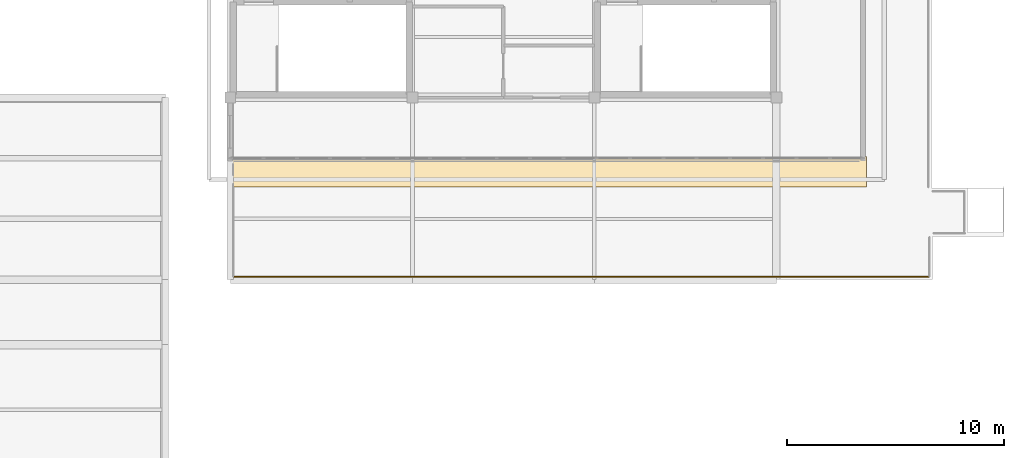
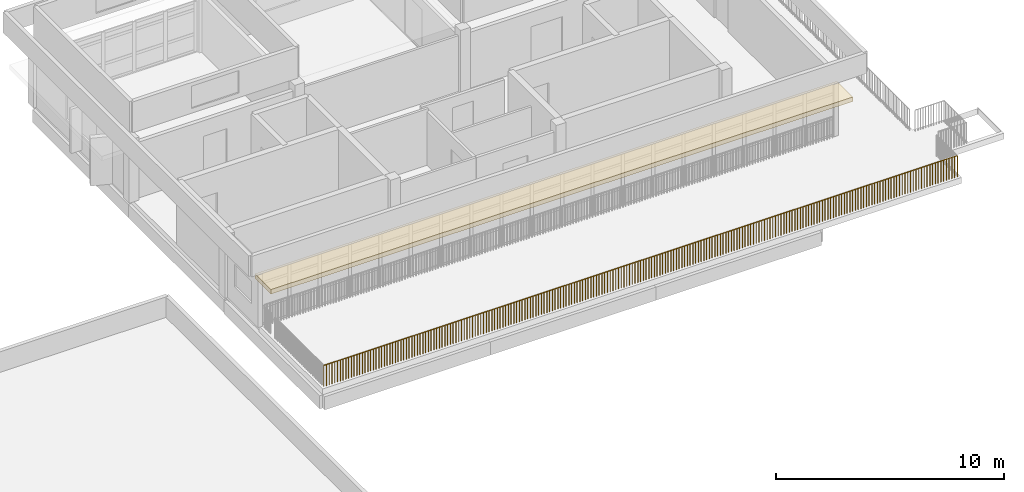
# One storey, part 11 of 14: 1 covering, 1 railing.
"""IFC4 building model written with IfcOpenShell, lengths in metres."""

from ifc_helpers import new_model, si_unit, direction, frame, origin, origin_2d, place, context, subcontext, project, spatial, rectangle, circle, extrude, material, layer, layer_set, type_object, element, save


model = new_model("IFC4")

# Units and contexts
model_context = context("Model", 3, precision=1e-05, world=origin(), true_north=direction((0.0, 1.0)))
body_context = subcontext(model_context, "Body", "Model", "MODEL_VIEW")
ifc_project = project(units=[si_unit("LENGTHUNIT", "METRE"), si_unit("AREAUNIT", "SQUARE_METRE"), si_unit("VOLUMEUNIT", "CUBIC_METRE"), si_unit("PLANEANGLEUNIT", "RADIAN"), si_unit("MASSUNIT", "GRAM", prefix="KILO")], contexts=[model_context])

# Site, building, storey
site_placement = place(None, origin())
site = spatial("IfcSite", under=ifc_project, at=site_placement, CompositionType="ELEMENT")
building_placement = place(site_placement, origin())
building = spatial("IfcBuilding", under=site, at=building_placement, Name="Vanh Quang Courtyard School", CompositionType="ELEMENT")
storey_placement = place(building_placement, frame((0.0, 0.0, 22.199951171875)))
storey = spatial("IfcBuildingStorey", under=building, at=storey_placement, Name="L06", CompositionType="ELEMENT", Elevation=22.199951171875)

# Covering
ifc_material_1 = material(Name="Board-marked precast concrete C40/50", Category="concrete")
ifc_layer = layer(ifc_material_1, 0.239990234375)
ifc_layer_set = layer_set([ifc_layer], Name="Board-marked precast concrete C40/50")
covering_type = type_object("IfcCoveringType", Name="COV-HOOD-CONC", PredefinedType="CLADDING", material=ifc_layer_set)
covering_placement = place(storey_placement, frame((92.0, 76.3798828125, 2.5400390625), z_axis=(0.0, 0.0, 1.0), x_axis=(-1.0, 0.0, 0.0)))
element("IfcCovering", 1, at=covering_placement, inside=storey, type_object=covering_type, Name="Covering CH-01 (L06)", PredefinedType="CLADDING", context=body_context, shape_type="SweptSolid", body=[
    extrude(rectangle(XDim=29.5, YDim=1.39990234375, at=origin_2d()), origin(), (0.0, 0.0, 1.0), 0.239990234375),
])

# Railing
ifc_material_2 = material(Name="Galvanised painted steel EN 10025-2 S355J2", Category="steel")
railing_type = type_object("IfcRailingType", Name="RAIL-GUARD-1150", PredefinedType="BALUSTRADE", material=ifc_material_2)
railing_placement = place(storey_placement, frame((109.659912109375, 71.5400390625, 0.0)))
element("IfcRailing", 2, at=railing_placement, inside=storey, type_object=railing_type, Name="Railing GR-01 (L06)", PredefinedType="BALUSTRADE", context=body_context, shape_type="SweptSolid", body=[
    extrude(circle(Radius=0.02392578125, at=origin_2d()), frame((0.0, 0.0, 1.1259765625), z_axis=(-1.0, 0.0, 0.0), x_axis=(0.0, -1.0, 0.0)), (0.0, 0.0, 1.0), 32.119873046875),
    extrude(circle(Radius=0.02099609375, at=origin_2d()), origin(), (0.0, 0.0, 1.0), 1.101806640625),
    extrude(circle(Radius=0.02099609375, at=origin_2d()), frame((-0.1396484375, 0.0, 0.0)), (0.0, 0.0, 1.0), 1.101806640625),
    extrude(circle(Radius=0.02099609375, at=origin_2d()), frame((-0.279296875, 0.0, 0.0)), (0.0, 0.0, 1.0), 1.101806640625),
    extrude(circle(Radius=0.02099609375, at=origin_2d()), frame((-0.4189453125, 0.0, 0.0)), (0.0, 0.0, 1.0), 1.101806640625),
    extrude(circle(Radius=0.02099609375, at=origin_2d()), frame((-0.55859375, 0.0, 0.0)), (0.0, 0.0, 1.0), 1.101806640625),
    extrude(circle(Radius=0.02099609375, at=origin_2d()), frame((-0.6982421875, 0.0, 0.0)), (0.0, 0.0, 1.0), 1.101806640625),
    extrude(circle(Radius=0.02099609375, at=origin_2d()), frame((-0.837890625, 0.0, 0.0)), (0.0, 0.0, 1.0), 1.101806640625),
    extrude(circle(Radius=0.02099609375, at=origin_2d()), frame((-0.9775390625, 0.0, 0.0)), (0.0, 0.0, 1.0), 1.101806640625),
    extrude(circle(Radius=0.02099609375, at=origin_2d()), frame((-1.1171875, 0.0, 0.0)), (0.0, 0.0, 1.0), 1.101806640625),
    extrude(circle(Radius=0.02099609375, at=origin_2d()), frame((-1.2568359375, 0.0, 0.0)), (0.0, 0.0, 1.0), 1.101806640625),
    extrude(circle(Radius=0.02099609375, at=origin_2d()), frame((-1.396484375, 0.0, 0.0)), (0.0, 0.0, 1.0), 1.101806640625),
    extrude(circle(Radius=0.02099609375, at=origin_2d()), frame((-1.5361328125, 0.0, 0.0)), (0.0, 0.0, 1.0), 1.101806640625),
    extrude(circle(Radius=0.02099609375, at=origin_2d()), frame((-1.67578125, 0.0, 0.0)), (0.0, 0.0, 1.0), 1.101806640625),
    extrude(circle(Radius=0.02099609375, at=origin_2d()), frame((-1.8154296875, 0.0, 0.0)), (0.0, 0.0, 1.0), 1.101806640625),
    extrude(circle(Radius=0.02099609375, at=origin_2d()), frame((-1.955078125, 0.0, 0.0)), (0.0, 0.0, 1.0), 1.101806640625),
    extrude(circle(Radius=0.02099609375, at=origin_2d()), frame((-2.0947265625, 0.0, 0.0)), (0.0, 0.0, 1.0), 1.101806640625),
    extrude(circle(Radius=0.02099609375, at=origin_2d()), frame((-2.234375, 0.0, 0.0)), (0.0, 0.0, 1.0), 1.101806640625),
    extrude(circle(Radius=0.02099609375, at=origin_2d()), frame((-2.3740234375, 0.0, 0.0)), (0.0, 0.0, 1.0), 1.101806640625),
    extrude(circle(Radius=0.02099609375, at=origin_2d()), frame((-2.513671875, 0.0, 0.0)), (0.0, 0.0, 1.0), 1.101806640625),
    extrude(circle(Radius=0.02099609375, at=origin_2d()), frame((-2.6533203125, 0.0, 0.0)), (0.0, 0.0, 1.0), 1.101806640625),
    extrude(circle(Radius=0.02099609375, at=origin_2d()), frame((-2.79296875, 0.0, 0.0)), (0.0, 0.0, 1.0), 1.101806640625),
    extrude(circle(Radius=0.02099609375, at=origin_2d()), frame((-2.9326171875, 0.0, 0.0)), (0.0, 0.0, 1.0), 1.101806640625),
    extrude(circle(Radius=0.02099609375, at=origin_2d()), frame((-3.072265625, 0.0, 0.0)), (0.0, 0.0, 1.0), 1.101806640625),
    extrude(circle(Radius=0.02099609375, at=origin_2d()), frame((-3.2119140625, 0.0, 0.0)), (0.0, 0.0, 1.0), 1.101806640625),
    extrude(circle(Radius=0.02099609375, at=origin_2d()), frame((-3.3515625, 0.0, 0.0)), (0.0, 0.0, 1.0), 1.101806640625),
    extrude(circle(Radius=0.02099609375, at=origin_2d()), frame((-3.4912109375, 0.0, 0.0)), (0.0, 0.0, 1.0), 1.101806640625),
    extrude(circle(Radius=0.02099609375, at=origin_2d()), frame((-3.630859375, 0.0, 0.0)), (0.0, 0.0, 1.0), 1.101806640625),
    extrude(circle(Radius=0.02099609375, at=origin_2d()), frame((-3.7705078125, 0.0, 0.0)), (0.0, 0.0, 1.0), 1.101806640625),
    extrude(circle(Radius=0.02099609375, at=origin_2d()), frame((-3.91015625, 0.0, 0.0)), (0.0, 0.0, 1.0), 1.101806640625),
    extrude(circle(Radius=0.02099609375, at=origin_2d()), frame((-4.0498046875, 0.0, 0.0)), (0.0, 0.0, 1.0), 1.101806640625),
    extrude(circle(Radius=0.02099609375, at=origin_2d()), frame((-4.189453125, 0.0, 0.0)), (0.0, 0.0, 1.0), 1.101806640625),
    extrude(circle(Radius=0.02099609375, at=origin_2d()), frame((-4.3291015625, 0.0, 0.0)), (0.0, 0.0, 1.0), 1.101806640625),
    extrude(circle(Radius=0.02099609375, at=origin_2d()), frame((-4.46875, 0.0, 0.0)), (0.0, 0.0, 1.0), 1.101806640625),
    extrude(circle(Radius=0.02099609375, at=origin_2d()), frame((-4.6083984375, 0.0, 0.0)), (0.0, 0.0, 1.0), 1.101806640625),
    extrude(circle(Radius=0.02099609375, at=origin_2d()), frame((-4.748046875, 0.0, 0.0)), (0.0, 0.0, 1.0), 1.101806640625),
    extrude(circle(Radius=0.02099609375, at=origin_2d()), frame((-4.8876953125, 0.0, 0.0)), (0.0, 0.0, 1.0), 1.101806640625),
    extrude(circle(Radius=0.02099609375, at=origin_2d()), frame((-5.02734375, 0.0, 0.0)), (0.0, 0.0, 1.0), 1.101806640625),
    extrude(circle(Radius=0.02099609375, at=origin_2d()), frame((-5.1669921875, 0.0, 0.0)), (0.0, 0.0, 1.0), 1.101806640625),
    extrude(circle(Radius=0.02099609375, at=origin_2d()), frame((-5.306640625, 0.0, 0.0)), (0.0, 0.0, 1.0), 1.101806640625),
    extrude(circle(Radius=0.02099609375, at=origin_2d()), frame((-5.446533203125, 0.0, 0.0)), (0.0, 0.0, 1.0), 1.101806640625),
    extrude(circle(Radius=0.02099609375, at=origin_2d()), frame((-5.586181640625, 0.0, 0.0)), (0.0, 0.0, 1.0), 1.101806640625),
    extrude(circle(Radius=0.02099609375, at=origin_2d()), frame((-5.725830078125, 0.0, 0.0)), (0.0, 0.0, 1.0), 1.101806640625),
    extrude(circle(Radius=0.02099609375, at=origin_2d()), frame((-5.865478515625, 0.0, 0.0)), (0.0, 0.0, 1.0), 1.101806640625),
    extrude(circle(Radius=0.02099609375, at=origin_2d()), frame((-6.005126953125, 0.0, 0.0)), (0.0, 0.0, 1.0), 1.101806640625),
    extrude(circle(Radius=0.02099609375, at=origin_2d()), frame((-6.144775390625, 0.0, 0.0)), (0.0, 0.0, 1.0), 1.101806640625),
    extrude(circle(Radius=0.02099609375, at=origin_2d()), frame((-6.284423828125, 0.0, 0.0)), (0.0, 0.0, 1.0), 1.101806640625),
    extrude(circle(Radius=0.02099609375, at=origin_2d()), frame((-6.424072265625, 0.0, 0.0)), (0.0, 0.0, 1.0), 1.101806640625),
    extrude(circle(Radius=0.02099609375, at=origin_2d()), frame((-6.563720703125, 0.0, 0.0)), (0.0, 0.0, 1.0), 1.101806640625),
    extrude(circle(Radius=0.02099609375, at=origin_2d()), frame((-6.703369140625, 0.0, 0.0)), (0.0, 0.0, 1.0), 1.101806640625),
    extrude(circle(Radius=0.02099609375, at=origin_2d()), frame((-6.843017578125, 0.0, 0.0)), (0.0, 0.0, 1.0), 1.101806640625),
    extrude(circle(Radius=0.02099609375, at=origin_2d()), frame((-6.982666015625, 0.0, 0.0)), (0.0, 0.0, 1.0), 1.101806640625),
    extrude(circle(Radius=0.02099609375, at=origin_2d()), frame((-7.122314453125, 0.0, 0.0)), (0.0, 0.0, 1.0), 1.101806640625),
    extrude(circle(Radius=0.02099609375, at=origin_2d()), frame((-7.261962890625, 0.0, 0.0)), (0.0, 0.0, 1.0), 1.101806640625),
    extrude(circle(Radius=0.02099609375, at=origin_2d()), frame((-7.401611328125, 0.0, 0.0)), (0.0, 0.0, 1.0), 1.101806640625),
    extrude(circle(Radius=0.02099609375, at=origin_2d()), frame((-7.541259765625, 0.0, 0.0)), (0.0, 0.0, 1.0), 1.101806640625),
    extrude(circle(Radius=0.02099609375, at=origin_2d()), frame((-7.680908203125, 0.0, 0.0)), (0.0, 0.0, 1.0), 1.101806640625),
    extrude(circle(Radius=0.02099609375, at=origin_2d()), frame((-7.820556640625, 0.0, 0.0)), (0.0, 0.0, 1.0), 1.101806640625),
    extrude(circle(Radius=0.02099609375, at=origin_2d()), frame((-7.960205078125, 0.0, 0.0)), (0.0, 0.0, 1.0), 1.101806640625),
    extrude(circle(Radius=0.02099609375, at=origin_2d()), frame((-8.099853515625, 0.0, 0.0)), (0.0, 0.0, 1.0), 1.101806640625),
    extrude(circle(Radius=0.02099609375, at=origin_2d()), frame((-8.239501953125, 0.0, 0.0)), (0.0, 0.0, 1.0), 1.101806640625),
    extrude(circle(Radius=0.02099609375, at=origin_2d()), frame((-8.379150390625, 0.0, 0.0)), (0.0, 0.0, 1.0), 1.101806640625),
    extrude(circle(Radius=0.02099609375, at=origin_2d()), frame((-8.518798828125, 0.0, 0.0)), (0.0, 0.0, 1.0), 1.101806640625),
    extrude(circle(Radius=0.02099609375, at=origin_2d()), frame((-8.658447265625, 0.0, 0.0)), (0.0, 0.0, 1.0), 1.101806640625),
    extrude(circle(Radius=0.02099609375, at=origin_2d()), frame((-8.798095703125, 0.0, 0.0)), (0.0, 0.0, 1.0), 1.101806640625),
    extrude(circle(Radius=0.02099609375, at=origin_2d()), frame((-8.937744140625, 0.0, 0.0)), (0.0, 0.0, 1.0), 1.101806640625),
    extrude(circle(Radius=0.02099609375, at=origin_2d()), frame((-9.077392578125, 0.0, 0.0)), (0.0, 0.0, 1.0), 1.101806640625),
    extrude(circle(Radius=0.02099609375, at=origin_2d()), frame((-9.217041015625, 0.0, 0.0)), (0.0, 0.0, 1.0), 1.101806640625),
    extrude(circle(Radius=0.02099609375, at=origin_2d()), frame((-9.356689453125, 0.0, 0.0)), (0.0, 0.0, 1.0), 1.101806640625),
    extrude(circle(Radius=0.02099609375, at=origin_2d()), frame((-9.496337890625, 0.0, 0.0)), (0.0, 0.0, 1.0), 1.101806640625),
    extrude(circle(Radius=0.02099609375, at=origin_2d()), frame((-9.635986328125, 0.0, 0.0)), (0.0, 0.0, 1.0), 1.101806640625),
    extrude(circle(Radius=0.02099609375, at=origin_2d()), frame((-9.775634765625, 0.0, 0.0)), (0.0, 0.0, 1.0), 1.101806640625),
    extrude(circle(Radius=0.02099609375, at=origin_2d()), frame((-9.915283203125, 0.0, 0.0)), (0.0, 0.0, 1.0), 1.101806640625),
    extrude(circle(Radius=0.02099609375, at=origin_2d()), frame((-10.054931640625, 0.0, 0.0)), (0.0, 0.0, 1.0), 1.101806640625),
    extrude(circle(Radius=0.02099609375, at=origin_2d()), frame((-10.194580078125, 0.0, 0.0)), (0.0, 0.0, 1.0), 1.101806640625),
    extrude(circle(Radius=0.02099609375, at=origin_2d()), frame((-10.334228515625, 0.0, 0.0)), (0.0, 0.0, 1.0), 1.101806640625),
    extrude(circle(Radius=0.02099609375, at=origin_2d()), frame((-10.473876953125, 0.0, 0.0)), (0.0, 0.0, 1.0), 1.101806640625),
    extrude(circle(Radius=0.02099609375, at=origin_2d()), frame((-10.613525390625, 0.0, 0.0)), (0.0, 0.0, 1.0), 1.101806640625),
    extrude(circle(Radius=0.02099609375, at=origin_2d()), frame((-10.753173828125, 0.0, 0.0)), (0.0, 0.0, 1.0), 1.101806640625),
    extrude(circle(Radius=0.02099609375, at=origin_2d()), frame((-10.892822265625, 0.0, 0.0)), (0.0, 0.0, 1.0), 1.101806640625),
    extrude(circle(Radius=0.02099609375, at=origin_2d()), frame((-11.032470703125, 0.0, 0.0)), (0.0, 0.0, 1.0), 1.101806640625),
    extrude(circle(Radius=0.02099609375, at=origin_2d()), frame((-11.172119140625, 0.0, 0.0)), (0.0, 0.0, 1.0), 1.101806640625),
    extrude(circle(Radius=0.02099609375, at=origin_2d()), frame((-11.311767578125, 0.0, 0.0)), (0.0, 0.0, 1.0), 1.101806640625),
    extrude(circle(Radius=0.02099609375, at=origin_2d()), frame((-11.451416015625, 0.0, 0.0)), (0.0, 0.0, 1.0), 1.101806640625),
    extrude(circle(Radius=0.02099609375, at=origin_2d()), frame((-11.591064453125, 0.0, 0.0)), (0.0, 0.0, 1.0), 1.101806640625),
    extrude(circle(Radius=0.02099609375, at=origin_2d()), frame((-11.730712890625, 0.0, 0.0)), (0.0, 0.0, 1.0), 1.101806640625),
    extrude(circle(Radius=0.02099609375, at=origin_2d()), frame((-11.870361328125, 0.0, 0.0)), (0.0, 0.0, 1.0), 1.101806640625),
    extrude(circle(Radius=0.02099609375, at=origin_2d()), frame((-12.010009765625, 0.0, 0.0)), (0.0, 0.0, 1.0), 1.101806640625),
    extrude(circle(Radius=0.02099609375, at=origin_2d()), frame((-12.149658203125, 0.0, 0.0)), (0.0, 0.0, 1.0), 1.101806640625),
    extrude(circle(Radius=0.02099609375, at=origin_2d()), frame((-12.289306640625, 0.0, 0.0)), (0.0, 0.0, 1.0), 1.101806640625),
    extrude(circle(Radius=0.02099609375, at=origin_2d()), frame((-12.428955078125, 0.0, 0.0)), (0.0, 0.0, 1.0), 1.101806640625),
    extrude(circle(Radius=0.02099609375, at=origin_2d()), frame((-12.568603515625, 0.0, 0.0)), (0.0, 0.0, 1.0), 1.101806640625),
    extrude(circle(Radius=0.02099609375, at=origin_2d()), frame((-12.708251953125, 0.0, 0.0)), (0.0, 0.0, 1.0), 1.101806640625),
    extrude(circle(Radius=0.02099609375, at=origin_2d()), frame((-12.847900390625, 0.0, 0.0)), (0.0, 0.0, 1.0), 1.101806640625),
    extrude(circle(Radius=0.02099609375, at=origin_2d()), frame((-12.987548828125, 0.0, 0.0)), (0.0, 0.0, 1.0), 1.101806640625),
    extrude(circle(Radius=0.02099609375, at=origin_2d()), frame((-13.127197265625, 0.0, 0.0)), (0.0, 0.0, 1.0), 1.101806640625),
    extrude(circle(Radius=0.02099609375, at=origin_2d()), frame((-13.266845703125, 0.0, 0.0)), (0.0, 0.0, 1.0), 1.101806640625),
    extrude(circle(Radius=0.02099609375, at=origin_2d()), frame((-13.406494140625, 0.0, 0.0)), (0.0, 0.0, 1.0), 1.101806640625),
    extrude(circle(Radius=0.02099609375, at=origin_2d()), frame((-13.546142578125, 0.0, 0.0)), (0.0, 0.0, 1.0), 1.101806640625),
    extrude(circle(Radius=0.02099609375, at=origin_2d()), frame((-13.685791015625, 0.0, 0.0)), (0.0, 0.0, 1.0), 1.101806640625),
    extrude(circle(Radius=0.02099609375, at=origin_2d()), frame((-13.825439453125, 0.0, 0.0)), (0.0, 0.0, 1.0), 1.101806640625),
    extrude(circle(Radius=0.02099609375, at=origin_2d()), frame((-13.965087890625, 0.0, 0.0)), (0.0, 0.0, 1.0), 1.101806640625),
    extrude(circle(Radius=0.02099609375, at=origin_2d()), frame((-14.104736328125, 0.0, 0.0)), (0.0, 0.0, 1.0), 1.101806640625),
    extrude(circle(Radius=0.02099609375, at=origin_2d()), frame((-14.244384765625, 0.0, 0.0)), (0.0, 0.0, 1.0), 1.101806640625),
    extrude(circle(Radius=0.02099609375, at=origin_2d()), frame((-14.384033203125, 0.0, 0.0)), (0.0, 0.0, 1.0), 1.101806640625),
    extrude(circle(Radius=0.02099609375, at=origin_2d()), frame((-14.523681640625, 0.0, 0.0)), (0.0, 0.0, 1.0), 1.101806640625),
    extrude(circle(Radius=0.02099609375, at=origin_2d()), frame((-14.663330078125, 0.0, 0.0)), (0.0, 0.0, 1.0), 1.101806640625),
    extrude(circle(Radius=0.02099609375, at=origin_2d()), frame((-14.802978515625, 0.0, 0.0)), (0.0, 0.0, 1.0), 1.101806640625),
    extrude(circle(Radius=0.02099609375, at=origin_2d()), frame((-14.942626953125, 0.0, 0.0)), (0.0, 0.0, 1.0), 1.101806640625),
    extrude(circle(Radius=0.02099609375, at=origin_2d()), frame((-15.082275390625, 0.0, 0.0)), (0.0, 0.0, 1.0), 1.101806640625),
    extrude(circle(Radius=0.02099609375, at=origin_2d()), frame((-15.221923828125, 0.0, 0.0)), (0.0, 0.0, 1.0), 1.101806640625),
    extrude(circle(Radius=0.02099609375, at=origin_2d()), frame((-15.361572265625, 0.0, 0.0)), (0.0, 0.0, 1.0), 1.101806640625),
    extrude(circle(Radius=0.02099609375, at=origin_2d()), frame((-15.501220703125, 0.0, 0.0)), (0.0, 0.0, 1.0), 1.101806640625),
    extrude(circle(Radius=0.02099609375, at=origin_2d()), frame((-15.640869140625, 0.0, 0.0)), (0.0, 0.0, 1.0), 1.101806640625),
    extrude(circle(Radius=0.02099609375, at=origin_2d()), frame((-15.780517578125, 0.0, 0.0)), (0.0, 0.0, 1.0), 1.101806640625),
    extrude(circle(Radius=0.02099609375, at=origin_2d()), frame((-15.920166015625, 0.0, 0.0)), (0.0, 0.0, 1.0), 1.101806640625),
    extrude(circle(Radius=0.02099609375, at=origin_2d()), frame((-16.06005859375, 0.0, 0.0)), (0.0, 0.0, 1.0), 1.101806640625),
    extrude(circle(Radius=0.02099609375, at=origin_2d()), frame((-16.19970703125, 0.0, 0.0)), (0.0, 0.0, 1.0), 1.101806640625),
    extrude(circle(Radius=0.02099609375, at=origin_2d()), frame((-16.33935546875, 0.0, 0.0)), (0.0, 0.0, 1.0), 1.101806640625),
    extrude(circle(Radius=0.02099609375, at=origin_2d()), frame((-16.47900390625, 0.0, 0.0)), (0.0, 0.0, 1.0), 1.101806640625),
    extrude(circle(Radius=0.02099609375, at=origin_2d()), frame((-16.61865234375, 0.0, 0.0)), (0.0, 0.0, 1.0), 1.101806640625),
    extrude(circle(Radius=0.02099609375, at=origin_2d()), frame((-16.75830078125, 0.0, 0.0)), (0.0, 0.0, 1.0), 1.101806640625),
    extrude(circle(Radius=0.02099609375, at=origin_2d()), frame((-16.89794921875, 0.0, 0.0)), (0.0, 0.0, 1.0), 1.101806640625),
    extrude(circle(Radius=0.02099609375, at=origin_2d()), frame((-17.03759765625, 0.0, 0.0)), (0.0, 0.0, 1.0), 1.101806640625),
    extrude(circle(Radius=0.02099609375, at=origin_2d()), frame((-17.17724609375, 0.0, 0.0)), (0.0, 0.0, 1.0), 1.101806640625),
    extrude(circle(Radius=0.02099609375, at=origin_2d()), frame((-17.31689453125, 0.0, 0.0)), (0.0, 0.0, 1.0), 1.101806640625),
    extrude(circle(Radius=0.02099609375, at=origin_2d()), frame((-17.45654296875, 0.0, 0.0)), (0.0, 0.0, 1.0), 1.101806640625),
    extrude(circle(Radius=0.02099609375, at=origin_2d()), frame((-17.59619140625, 0.0, 0.0)), (0.0, 0.0, 1.0), 1.101806640625),
    extrude(circle(Radius=0.02099609375, at=origin_2d()), frame((-17.73583984375, 0.0, 0.0)), (0.0, 0.0, 1.0), 1.101806640625),
    extrude(circle(Radius=0.02099609375, at=origin_2d()), frame((-17.87548828125, 0.0, 0.0)), (0.0, 0.0, 1.0), 1.101806640625),
    extrude(circle(Radius=0.02099609375, at=origin_2d()), frame((-18.01513671875, 0.0, 0.0)), (0.0, 0.0, 1.0), 1.101806640625),
    extrude(circle(Radius=0.02099609375, at=origin_2d()), frame((-18.15478515625, 0.0, 0.0)), (0.0, 0.0, 1.0), 1.101806640625),
    extrude(circle(Radius=0.02099609375, at=origin_2d()), frame((-18.29443359375, 0.0, 0.0)), (0.0, 0.0, 1.0), 1.101806640625),
    extrude(circle(Radius=0.02099609375, at=origin_2d()), frame((-18.43408203125, 0.0, 0.0)), (0.0, 0.0, 1.0), 1.101806640625),
    extrude(circle(Radius=0.02099609375, at=origin_2d()), frame((-18.57373046875, 0.0, 0.0)), (0.0, 0.0, 1.0), 1.101806640625),
    extrude(circle(Radius=0.02099609375, at=origin_2d()), frame((-18.71337890625, 0.0, 0.0)), (0.0, 0.0, 1.0), 1.101806640625),
    extrude(circle(Radius=0.02099609375, at=origin_2d()), frame((-18.85302734375, 0.0, 0.0)), (0.0, 0.0, 1.0), 1.101806640625),
    extrude(circle(Radius=0.02099609375, at=origin_2d()), frame((-18.99267578125, 0.0, 0.0)), (0.0, 0.0, 1.0), 1.101806640625),
    extrude(circle(Radius=0.02099609375, at=origin_2d()), frame((-19.13232421875, 0.0, 0.0)), (0.0, 0.0, 1.0), 1.101806640625),
    extrude(circle(Radius=0.02099609375, at=origin_2d()), frame((-19.27197265625, 0.0, 0.0)), (0.0, 0.0, 1.0), 1.101806640625),
    extrude(circle(Radius=0.02099609375, at=origin_2d()), frame((-19.41162109375, 0.0, 0.0)), (0.0, 0.0, 1.0), 1.101806640625),
    extrude(circle(Radius=0.02099609375, at=origin_2d()), frame((-19.55126953125, 0.0, 0.0)), (0.0, 0.0, 1.0), 1.101806640625),
    extrude(circle(Radius=0.02099609375, at=origin_2d()), frame((-19.69091796875, 0.0, 0.0)), (0.0, 0.0, 1.0), 1.101806640625),
    extrude(circle(Radius=0.02099609375, at=origin_2d()), frame((-19.83056640625, 0.0, 0.0)), (0.0, 0.0, 1.0), 1.101806640625),
    extrude(circle(Radius=0.02099609375, at=origin_2d()), frame((-19.97021484375, 0.0, 0.0)), (0.0, 0.0, 1.0), 1.101806640625),
    extrude(circle(Radius=0.02099609375, at=origin_2d()), frame((-20.10986328125, 0.0, 0.0)), (0.0, 0.0, 1.0), 1.101806640625),
    extrude(circle(Radius=0.02099609375, at=origin_2d()), frame((-20.24951171875, 0.0, 0.0)), (0.0, 0.0, 1.0), 1.101806640625),
    extrude(circle(Radius=0.02099609375, at=origin_2d()), frame((-20.38916015625, 0.0, 0.0)), (0.0, 0.0, 1.0), 1.101806640625),
    extrude(circle(Radius=0.02099609375, at=origin_2d()), frame((-20.52880859375, 0.0, 0.0)), (0.0, 0.0, 1.0), 1.101806640625),
    extrude(circle(Radius=0.02099609375, at=origin_2d()), frame((-20.66845703125, 0.0, 0.0)), (0.0, 0.0, 1.0), 1.101806640625),
    extrude(circle(Radius=0.02099609375, at=origin_2d()), frame((-20.80810546875, 0.0, 0.0)), (0.0, 0.0, 1.0), 1.101806640625),
    extrude(circle(Radius=0.02099609375, at=origin_2d()), frame((-20.94775390625, 0.0, 0.0)), (0.0, 0.0, 1.0), 1.101806640625),
    extrude(circle(Radius=0.02099609375, at=origin_2d()), frame((-21.08740234375, 0.0, 0.0)), (0.0, 0.0, 1.0), 1.101806640625),
    extrude(circle(Radius=0.02099609375, at=origin_2d()), frame((-21.22705078125, 0.0, 0.0)), (0.0, 0.0, 1.0), 1.101806640625),
    extrude(circle(Radius=0.02099609375, at=origin_2d()), frame((-21.36669921875, 0.0, 0.0)), (0.0, 0.0, 1.0), 1.101806640625),
    extrude(circle(Radius=0.02099609375, at=origin_2d()), frame((-21.50634765625, 0.0, 0.0)), (0.0, 0.0, 1.0), 1.101806640625),
    extrude(circle(Radius=0.02099609375, at=origin_2d()), frame((-21.64599609375, 0.0, 0.0)), (0.0, 0.0, 1.0), 1.101806640625),
    extrude(circle(Radius=0.02099609375, at=origin_2d()), frame((-21.78564453125, 0.0, 0.0)), (0.0, 0.0, 1.0), 1.101806640625),
    extrude(circle(Radius=0.02099609375, at=origin_2d()), frame((-21.92529296875, 0.0, 0.0)), (0.0, 0.0, 1.0), 1.101806640625),
    extrude(circle(Radius=0.02099609375, at=origin_2d()), frame((-22.06494140625, 0.0, 0.0)), (0.0, 0.0, 1.0), 1.101806640625),
    extrude(circle(Radius=0.02099609375, at=origin_2d()), frame((-22.20458984375, 0.0, 0.0)), (0.0, 0.0, 1.0), 1.101806640625),
    extrude(circle(Radius=0.02099609375, at=origin_2d()), frame((-22.34423828125, 0.0, 0.0)), (0.0, 0.0, 1.0), 1.101806640625),
    extrude(circle(Radius=0.02099609375, at=origin_2d()), frame((-22.48388671875, 0.0, 0.0)), (0.0, 0.0, 1.0), 1.101806640625),
    extrude(circle(Radius=0.02099609375, at=origin_2d()), frame((-22.62353515625, 0.0, 0.0)), (0.0, 0.0, 1.0), 1.101806640625),
    extrude(circle(Radius=0.02099609375, at=origin_2d()), frame((-22.76318359375, 0.0, 0.0)), (0.0, 0.0, 1.0), 1.101806640625),
    extrude(circle(Radius=0.02099609375, at=origin_2d()), frame((-22.90283203125, 0.0, 0.0)), (0.0, 0.0, 1.0), 1.101806640625),
    extrude(circle(Radius=0.02099609375, at=origin_2d()), frame((-23.04248046875, 0.0, 0.0)), (0.0, 0.0, 1.0), 1.101806640625),
    extrude(circle(Radius=0.02099609375, at=origin_2d()), frame((-23.18212890625, 0.0, 0.0)), (0.0, 0.0, 1.0), 1.101806640625),
    extrude(circle(Radius=0.02099609375, at=origin_2d()), frame((-23.32177734375, 0.0, 0.0)), (0.0, 0.0, 1.0), 1.101806640625),
    extrude(circle(Radius=0.02099609375, at=origin_2d()), frame((-23.46142578125, 0.0, 0.0)), (0.0, 0.0, 1.0), 1.101806640625),
    extrude(circle(Radius=0.02099609375, at=origin_2d()), frame((-23.60107421875, 0.0, 0.0)), (0.0, 0.0, 1.0), 1.101806640625),
    extrude(circle(Radius=0.02099609375, at=origin_2d()), frame((-23.74072265625, 0.0, 0.0)), (0.0, 0.0, 1.0), 1.101806640625),
    extrude(circle(Radius=0.02099609375, at=origin_2d()), frame((-23.88037109375, 0.0, 0.0)), (0.0, 0.0, 1.0), 1.101806640625),
    extrude(circle(Radius=0.02099609375, at=origin_2d()), frame((-24.02001953125, 0.0, 0.0)), (0.0, 0.0, 1.0), 1.101806640625),
    extrude(circle(Radius=0.02099609375, at=origin_2d()), frame((-24.15966796875, 0.0, 0.0)), (0.0, 0.0, 1.0), 1.101806640625),
    extrude(circle(Radius=0.02099609375, at=origin_2d()), frame((-24.29931640625, 0.0, 0.0)), (0.0, 0.0, 1.0), 1.101806640625),
    extrude(circle(Radius=0.02099609375, at=origin_2d()), frame((-24.43896484375, 0.0, 0.0)), (0.0, 0.0, 1.0), 1.101806640625),
    extrude(circle(Radius=0.02099609375, at=origin_2d()), frame((-24.57861328125, 0.0, 0.0)), (0.0, 0.0, 1.0), 1.101806640625),
    extrude(circle(Radius=0.02099609375, at=origin_2d()), frame((-24.71826171875, 0.0, 0.0)), (0.0, 0.0, 1.0), 1.101806640625),
    extrude(circle(Radius=0.02099609375, at=origin_2d()), frame((-24.85791015625, 0.0, 0.0)), (0.0, 0.0, 1.0), 1.101806640625),
    extrude(circle(Radius=0.02099609375, at=origin_2d()), frame((-24.99755859375, 0.0, 0.0)), (0.0, 0.0, 1.0), 1.101806640625),
    extrude(circle(Radius=0.02099609375, at=origin_2d()), frame((-25.13720703125, 0.0, 0.0)), (0.0, 0.0, 1.0), 1.101806640625),
    extrude(circle(Radius=0.02099609375, at=origin_2d()), frame((-25.27685546875, 0.0, 0.0)), (0.0, 0.0, 1.0), 1.101806640625),
    extrude(circle(Radius=0.02099609375, at=origin_2d()), frame((-25.41650390625, 0.0, 0.0)), (0.0, 0.0, 1.0), 1.101806640625),
    extrude(circle(Radius=0.02099609375, at=origin_2d()), frame((-25.55615234375, 0.0, 0.0)), (0.0, 0.0, 1.0), 1.101806640625),
    extrude(circle(Radius=0.02099609375, at=origin_2d()), frame((-25.69580078125, 0.0, 0.0)), (0.0, 0.0, 1.0), 1.101806640625),
    extrude(circle(Radius=0.02099609375, at=origin_2d()), frame((-25.83544921875, 0.0, 0.0)), (0.0, 0.0, 1.0), 1.101806640625),
    extrude(circle(Radius=0.02099609375, at=origin_2d()), frame((-25.97509765625, 0.0, 0.0)), (0.0, 0.0, 1.0), 1.101806640625),
    extrude(circle(Radius=0.02099609375, at=origin_2d()), frame((-26.11474609375, 0.0, 0.0)), (0.0, 0.0, 1.0), 1.101806640625),
    extrude(circle(Radius=0.02099609375, at=origin_2d()), frame((-26.25439453125, 0.0, 0.0)), (0.0, 0.0, 1.0), 1.101806640625),
    extrude(circle(Radius=0.02099609375, at=origin_2d()), frame((-26.39404296875, 0.0, 0.0)), (0.0, 0.0, 1.0), 1.101806640625),
    extrude(circle(Radius=0.02099609375, at=origin_2d()), frame((-26.53369140625, 0.0, 0.0)), (0.0, 0.0, 1.0), 1.101806640625),
    extrude(circle(Radius=0.02099609375, at=origin_2d()), frame((-26.67333984375, 0.0, 0.0)), (0.0, 0.0, 1.0), 1.101806640625),
    extrude(circle(Radius=0.02099609375, at=origin_2d()), frame((-26.813232421875, 0.0, 0.0)), (0.0, 0.0, 1.0), 1.101806640625),
    extrude(circle(Radius=0.02099609375, at=origin_2d()), frame((-26.952880859375, 0.0, 0.0)), (0.0, 0.0, 1.0), 1.101806640625),
    extrude(circle(Radius=0.02099609375, at=origin_2d()), frame((-27.092529296875, 0.0, 0.0)), (0.0, 0.0, 1.0), 1.101806640625),
    extrude(circle(Radius=0.02099609375, at=origin_2d()), frame((-27.232177734375, 0.0, 0.0)), (0.0, 0.0, 1.0), 1.101806640625),
    extrude(circle(Radius=0.02099609375, at=origin_2d()), frame((-27.371826171875, 0.0, 0.0)), (0.0, 0.0, 1.0), 1.101806640625),
    extrude(circle(Radius=0.02099609375, at=origin_2d()), frame((-27.511474609375, 0.0, 0.0)), (0.0, 0.0, 1.0), 1.101806640625),
    extrude(circle(Radius=0.02099609375, at=origin_2d()), frame((-27.651123046875, 0.0, 0.0)), (0.0, 0.0, 1.0), 1.101806640625),
    extrude(circle(Radius=0.02099609375, at=origin_2d()), frame((-27.790771484375, 0.0, 0.0)), (0.0, 0.0, 1.0), 1.101806640625),
    extrude(circle(Radius=0.02099609375, at=origin_2d()), frame((-27.930419921875, 0.0, 0.0)), (0.0, 0.0, 1.0), 1.101806640625),
    extrude(circle(Radius=0.02099609375, at=origin_2d()), frame((-28.070068359375, 0.0, 0.0)), (0.0, 0.0, 1.0), 1.101806640625),
    extrude(circle(Radius=0.02099609375, at=origin_2d()), frame((-28.209716796875, 0.0, 0.0)), (0.0, 0.0, 1.0), 1.101806640625),
    extrude(circle(Radius=0.02099609375, at=origin_2d()), frame((-28.349365234375, 0.0, 0.0)), (0.0, 0.0, 1.0), 1.101806640625),
    extrude(circle(Radius=0.02099609375, at=origin_2d()), frame((-28.489013671875, 0.0, 0.0)), (0.0, 0.0, 1.0), 1.101806640625),
    extrude(circle(Radius=0.02099609375, at=origin_2d()), frame((-28.628662109375, 0.0, 0.0)), (0.0, 0.0, 1.0), 1.101806640625),
    extrude(circle(Radius=0.02099609375, at=origin_2d()), frame((-28.768310546875, 0.0, 0.0)), (0.0, 0.0, 1.0), 1.101806640625),
    extrude(circle(Radius=0.02099609375, at=origin_2d()), frame((-28.907958984375, 0.0, 0.0)), (0.0, 0.0, 1.0), 1.101806640625),
    extrude(circle(Radius=0.02099609375, at=origin_2d()), frame((-29.047607421875, 0.0, 0.0)), (0.0, 0.0, 1.0), 1.101806640625),
    extrude(circle(Radius=0.02099609375, at=origin_2d()), frame((-29.187255859375, 0.0, 0.0)), (0.0, 0.0, 1.0), 1.101806640625),
    extrude(circle(Radius=0.02099609375, at=origin_2d()), frame((-29.326904296875, 0.0, 0.0)), (0.0, 0.0, 1.0), 1.101806640625),
    extrude(circle(Radius=0.02099609375, at=origin_2d()), frame((-29.466552734375, 0.0, 0.0)), (0.0, 0.0, 1.0), 1.101806640625),
    extrude(circle(Radius=0.02099609375, at=origin_2d()), frame((-29.606201171875, 0.0, 0.0)), (0.0, 0.0, 1.0), 1.101806640625),
    extrude(circle(Radius=0.02099609375, at=origin_2d()), frame((-29.745849609375, 0.0, 0.0)), (0.0, 0.0, 1.0), 1.101806640625),
    extrude(circle(Radius=0.02099609375, at=origin_2d()), frame((-29.885498046875, 0.0, 0.0)), (0.0, 0.0, 1.0), 1.101806640625),
    extrude(circle(Radius=0.02099609375, at=origin_2d()), frame((-30.025146484375, 0.0, 0.0)), (0.0, 0.0, 1.0), 1.101806640625),
    extrude(circle(Radius=0.02099609375, at=origin_2d()), frame((-30.164794921875, 0.0, 0.0)), (0.0, 0.0, 1.0), 1.101806640625),
    extrude(circle(Radius=0.02099609375, at=origin_2d()), frame((-30.304443359375, 0.0, 0.0)), (0.0, 0.0, 1.0), 1.101806640625),
    extrude(circle(Radius=0.02099609375, at=origin_2d()), frame((-30.444091796875, 0.0, 0.0)), (0.0, 0.0, 1.0), 1.101806640625),
    extrude(circle(Radius=0.02099609375, at=origin_2d()), frame((-30.583740234375, 0.0, 0.0)), (0.0, 0.0, 1.0), 1.101806640625),
    extrude(circle(Radius=0.02099609375, at=origin_2d()), frame((-30.723388671875, 0.0, 0.0)), (0.0, 0.0, 1.0), 1.101806640625),
    extrude(circle(Radius=0.02099609375, at=origin_2d()), frame((-30.863037109375, 0.0, 0.0)), (0.0, 0.0, 1.0), 1.101806640625),
    extrude(circle(Radius=0.02099609375, at=origin_2d()), frame((-31.002685546875, 0.0, 0.0)), (0.0, 0.0, 1.0), 1.101806640625),
    extrude(circle(Radius=0.02099609375, at=origin_2d()), frame((-31.142333984375, 0.0, 0.0)), (0.0, 0.0, 1.0), 1.101806640625),
    extrude(circle(Radius=0.02099609375, at=origin_2d()), frame((-31.281982421875, 0.0, 0.0)), (0.0, 0.0, 1.0), 1.101806640625),
    extrude(circle(Radius=0.02099609375, at=origin_2d()), frame((-31.421630859375, 0.0, 0.0)), (0.0, 0.0, 1.0), 1.101806640625),
    extrude(circle(Radius=0.02099609375, at=origin_2d()), frame((-31.561279296875, 0.0, 0.0)), (0.0, 0.0, 1.0), 1.101806640625),
    extrude(circle(Radius=0.02099609375, at=origin_2d()), frame((-31.700927734375, 0.0, 0.0)), (0.0, 0.0, 1.0), 1.101806640625),
    extrude(circle(Radius=0.02099609375, at=origin_2d()), frame((-31.840576171875, 0.0, 0.0)), (0.0, 0.0, 1.0), 1.101806640625),
    extrude(circle(Radius=0.02099609375, at=origin_2d()), frame((-31.980224609375, 0.0, 0.0)), (0.0, 0.0, 1.0), 1.101806640625),
    extrude(circle(Radius=0.02099609375, at=origin_2d()), frame((-32.119873046875, 0.0, 0.0)), (0.0, 0.0, 1.0), 1.101806640625),
])

save(model, "model.ifc")
